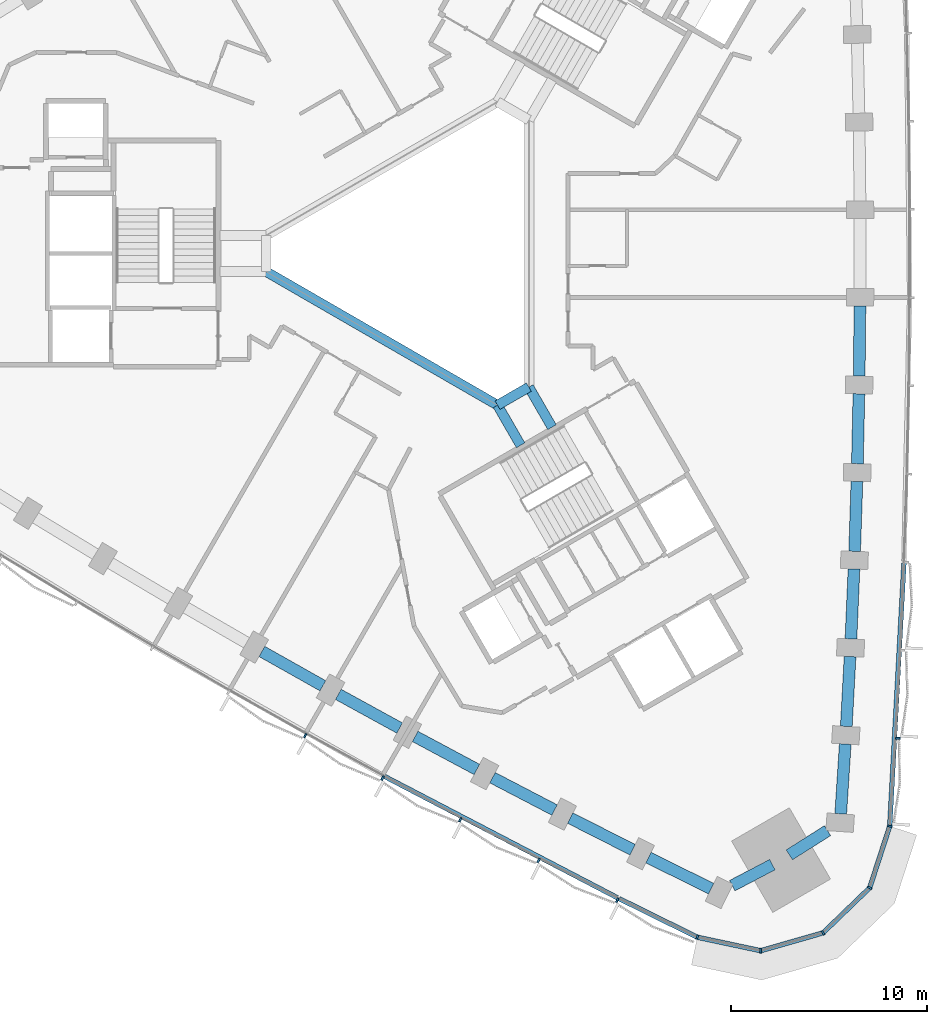
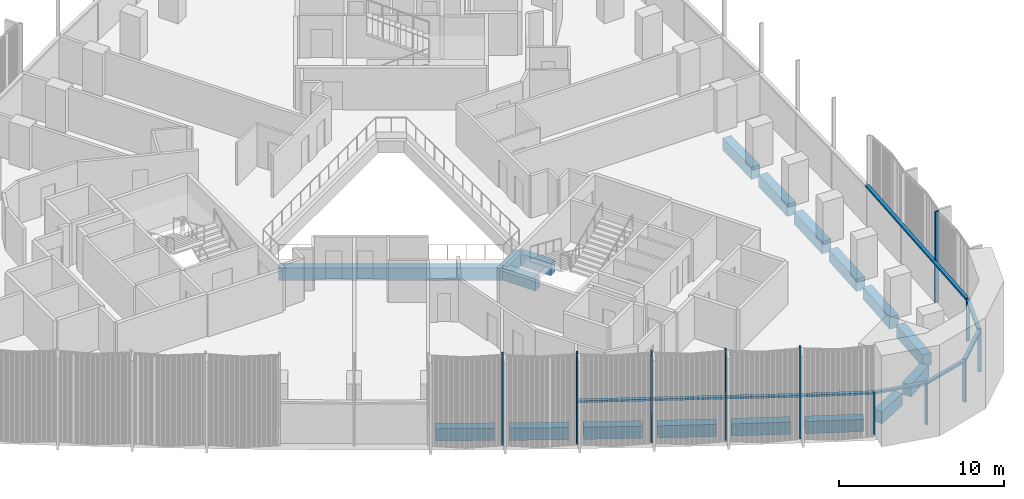
# One storey, part 3 of 16: 18 beams, 18 members, 2 elements without a shape of their own.
"""IFC4 building model written with IfcOpenShell, lengths in metres."""

import ifcopenshell
import ifcopenshell.guid

model = None  # the IFC model being written
_history = None  # IfcOwnerHistory: only IFC2X3 demands one
_inside = {}  # id of a spatial element -> (the spatial element, [elements in it])
_under = {}  # id of a project, library or spatial element -> (it, [spatial elements below it])
_declared = {}  # id of a project -> (the project, [libraries it declares])
_typed = {}  # id of a type object -> (the type object, [elements of that type])
_made_of = {}  # id of a material, layer set ... -> (it, [elements and type objects made of it])


def new_model(schema):
    """Start an empty IFC model of exactly this schema.

    Asked for "IFC4X3", IfcOpenShell would pick the latest addendum, in which some entities
    have other attributes; the version numbers below select the first issue.
    IFC2X3 requires an IfcOwnerHistory on every rooted entity: one is made here for all.
    """
    global model, _history
    if schema == "IFC4X3":
        model = ifcopenshell.file(schema_version=(4, 3, 0, 0))
    else:
        model = ifcopenshell.file(schema=schema)
    _inside.clear()
    _under.clear()
    _declared.clear()
    _typed.clear()
    _made_of.clear()
    _history = None
    if model.schema == "IFC2X3":
        org = make("IfcOrganization", Name="unknown")
        user = make(
            "IfcPersonAndOrganization",
            ThePerson=make("IfcPerson", FamilyName="unknown"),
            TheOrganization=org,
        )
        app = make(
            "IfcApplication",
            ApplicationDeveloper=org,
            Version="unknown",
            ApplicationFullName="unknown",
            ApplicationIdentifier="unknown",
        )
        _history = make(
            "IfcOwnerHistory",
            OwningUser=user,
            OwningApplication=app,
            ChangeAction="ADDED",
            CreationDate=0,
        )
    return model


def make(cls, **values):
    """One entity of the class cls with the attributes given. An attribute that is None is left unset."""
    return model.create_entity(
        cls, **{name: value for name, value in values.items() if value is not None}
    )


def rooted(cls, **values):
    """An entity with a GlobalId (a new one), such as an element, a storey or a relation."""
    return make(cls, GlobalId=ifcopenshell.guid.new(), OwnerHistory=_history, **values)


def si_unit(unit_type, name, prefix=None):
    """IfcSIUnit, for example si_unit("LENGTHUNIT", "METRE", prefix="MILLI")."""
    return make("IfcSIUnit", UnitType=unit_type, Prefix=prefix, Name=name)


def assignment(units):
    """IfcUnitAssignment: the units of a project."""
    return None if units is None else make("IfcUnitAssignment", Units=units)


def point(xyz):
    """IfcCartesianPoint."""
    return None if xyz is None else make("IfcCartesianPoint", Coordinates=xyz)


def direction(xyz):
    """IfcDirection."""
    return None if xyz is None else make("IfcDirection", DirectionRatios=xyz)


def frame(location, z_axis=None, x_axis=None):
    """IfcAxis2Placement3D, a coordinate frame: its origin and axes. An axis left out is left unset."""
    return make(
        "IfcAxis2Placement3D",
        Location=point(location),
        Axis=direction(z_axis),
        RefDirection=direction(x_axis),
    )


def frame_2d(location, x_axis=None):
    """IfcAxis2Placement2D, a coordinate frame in the plane: its origin and x axis."""
    return make(
        "IfcAxis2Placement2D", Location=point(location), RefDirection=direction(x_axis)
    )


def origin():
    """The frame at (0, 0, 0) with its axes left unset."""
    return frame((0.0, 0.0, 0.0))


def origin_2d():
    """The frame at (0, 0) in the plane with its x axis left unset."""
    return frame_2d((0.0, 0.0))


def place(relative_to, where):
    """IfcLocalPlacement: puts the frame where relative to a parent placement (None: the world)."""
    return make(
        "IfcLocalPlacement", PlacementRelTo=relative_to, RelativePlacement=where
    )


def context(
    kind, dimensions, precision=None, world=None, true_north=None, identifier=None
):
    """IfcGeometricRepresentationContext, for example the 3D "Model" context."""
    return make(
        "IfcGeometricRepresentationContext",
        ContextIdentifier=identifier,
        ContextType=kind,
        CoordinateSpaceDimension=dimensions,
        Precision=precision,
        WorldCoordinateSystem=world,
        TrueNorth=true_north,
    )


def subcontext(parent, identifier, kind, view, scale=None):
    """IfcGeometricRepresentationSubContext, for example "Body" below "Model"."""
    return make(
        "IfcGeometricRepresentationSubContext",
        ContextIdentifier=identifier,
        ContextType=kind,
        ParentContext=parent,
        TargetScale=scale,
        TargetView=view,
    )


def project(units=None, contexts=None):
    """IfcProject with its units and contexts."""
    return rooted(
        "IfcProject",
        Name="project",
        RepresentationContexts=contexts,
        UnitsInContext=assignment(units),
    )


def spatial(cls, under=None, at=None, **own):
    """A site, building, storey or space (cls), placed at a placement, below another one or the project."""
    s = rooted(cls, ObjectPlacement=at, **own)
    if under is not None:
        _under.setdefault(under.id(), (under, []))[1].append(s)
    return s


def profile(cls, at=None, kind="AREA", **sizes):
    """A parametric profile (cls). Its sizes go by their IFC names, for example OverallWidth=200.0."""
    return make(cls, ProfileType=kind, Position=at, **sizes)


def rectangle(**sizes):
    """IfcRectangleProfileDef."""
    return profile("IfcRectangleProfileDef", **sizes)


def extrude(swept, where, along, depth):
    """IfcExtrudedAreaSolid: the profile swept, set in the frame where, extruded along a direction by depth."""
    return make(
        "IfcExtrudedAreaSolid",
        SweptArea=swept,
        Position=where,
        ExtrudedDirection=direction(along),
        Depth=depth,
    )


def shape(context_of_items, identifier, shape_type, items):
    """IfcShapeRepresentation: the items that make up one representation, for example the "Body"."""
    return make(
        "IfcShapeRepresentation",
        ContextOfItems=context_of_items,
        RepresentationIdentifier=identifier,
        RepresentationType=shape_type,
        Items=items,
    )


def material(Name=None, Category=None):
    """IfcMaterial."""
    return make("IfcMaterial", Name=Name, Category=Category)


def material_profile(
    of_material, cross_section, Name=None, Category=None, Priority=None
):
    """IfcMaterialProfile: a cross section and its material."""
    return make(
        "IfcMaterialProfile",
        Name=Name,
        Material=of_material,
        Profile=cross_section,
        Priority=Priority,
        Category=Category,
    )


def profile_set(profiles, Name=None, composite=None):
    """IfcMaterialProfileSet."""
    return make(
        "IfcMaterialProfileSet",
        Name=Name,
        MaterialProfiles=profiles,
        CompositeProfile=composite,
    )


def made_of(thing, what):
    """Note that an element or type object is made of a material, layer set ...; save() writes the relation."""
    if what is not None:
        _made_of.setdefault(what.id(), (what, []))[1].append(thing)
    return thing


def type_object(cls, material=None, **own):
    """A type object (cls), such as IfcWallType, which elements share."""
    return made_of(rooted(cls, **own), material)


def element(
    cls,
    number,
    at=None,
    inside=None,
    cuts=None,
    type_object=None,
    material=None,
    context=None,
    identifier="Body",
    shape_type=None,
    held_by="IfcProductDefinitionShape",
    body=None,
    shapes=None,
    **own,
):
    """One element of the class cls, such as IfcWall. Its Tag is "e" and its number.

    at: its placement. inside: the storey or other place that contains it. cuts: it is an
    opening in that element (IfcRelVoidsElement). A single representation is given by context,
    identifier, shape_type and body (its items); several are given by shapes. held_by: the class
    of the entity that holds the representations. save() writes the other relations.
    """
    e = rooted(cls, Tag="e%d" % number, ObjectPlacement=at, **own)
    if body is not None:
        shapes = [shape(context, identifier, shape_type, body)]
    if shapes is not None:
        e.Representation = make(held_by, Representations=shapes)
    if inside is not None:
        _inside.setdefault(inside.id(), (inside, []))[1].append(e)
    if cuts is not None:
        rooted(
            "IfcRelVoidsElement", RelatingBuildingElement=cuts, RelatedOpeningElement=e
        )
    if type_object is not None:
        _typed.setdefault(type_object.id(), (type_object, []))[1].append(e)
    return made_of(e, material)


def aggregate(whole, parts):
    """IfcRelAggregates: a whole, such as a stair, and the parts it consists of."""
    return rooted("IfcRelAggregates", RelatingObject=whole, RelatedObjects=parts)


def save(model, path):
    """Write the relations noted so far, then the file.

    IfcRelAggregates (storeys below a building ...), IfcRelContainedInSpatialStructure (elements
    in a storey), IfcRelDefinesByType, IfcRelAssociatesMaterial and IfcRelDeclares: one each for
    every whole, place, type object, material and project.
    """
    for whole, parts in _under.values():
        aggregate(whole, parts)
    for where, things in _inside.values():
        rooted(
            "IfcRelContainedInSpatialStructure",
            RelatedElements=things,
            RelatingStructure=where,
        )
    for kind, things in _typed.values():
        rooted("IfcRelDefinesByType", RelatedObjects=things, RelatingType=kind)
    for what, things in _made_of.values():
        rooted("IfcRelAssociatesMaterial", RelatedObjects=things, RelatingMaterial=what)
    for by, libraries in _declared.values():
        rooted("IfcRelDeclares", RelatingContext=by, RelatedDefinitions=libraries)
    model.write(path)


model = new_model("IFC4")

# Units and contexts
model_context = context("Model", 3, precision=1e-05, world=origin(), true_north=direction((0.0, 1.0)))
body_context = subcontext(model_context, "Body", "Model", "MODEL_VIEW")
ifc_project = project(units=[si_unit("LENGTHUNIT", "METRE"), si_unit("AREAUNIT", "SQUARE_METRE"), si_unit("VOLUMEUNIT", "CUBIC_METRE"), si_unit("PLANEANGLEUNIT", "RADIAN"), si_unit("MASSUNIT", "GRAM", prefix="KILO")], contexts=[model_context])

# Site, building, storey
site_placement = place(None, origin())
site = spatial("IfcSite", under=ifc_project, at=site_placement, CompositionType="ELEMENT")
building_placement = place(site_placement, origin())
building = spatial("IfcBuilding", under=site, at=building_placement, Name="Tamra Quay Hotel Tower", CompositionType="ELEMENT")
storey_placement = place(building_placement, frame((0.0, 0.0, 45.800048828125)))
storey = spatial("IfcBuildingStorey", under=building, at=storey_placement, Name="L09", CompositionType="ELEMENT", Elevation=45.800048828125)

# Beams
ifc_material_1 = material(Name="Concrete M60", Category="concrete")
ifc_material_profile_1 = material_profile(ifc_material_1, rectangle(XDim=0.5, YDim=0.89990234375, at=origin_2d()), Name="ATRIUM EDGE BEAM RC 500x900")
ifc_profile_set_1 = profile_set([ifc_material_profile_1], Name="Concrete M60")
beam_type_1 = type_object("IfcBeamType", Name="ATRIUM EDGE BEAM RC 500x900", PredefinedType="BEAM", material=ifc_profile_set_1)
beam_1_placement = place(storey_placement, frame((5.0, -6.812744140625, -0.925048828125), z_axis=(-0.86602275259, -0.500004591975, 0.0), x_axis=(0.500004591975, -0.86602275259, 0.0)))
element("IfcBeam", 1, at=beam_1_placement, inside=storey, type_object=beam_type_1, Name="BM-AB1-L09", PredefinedType="BEAM", context=body_context, shape_type="SweptSolid", body=[
    extrude(rectangle(XDim=0.5, YDim=0.89990234375, at=origin_2d()), origin(), (0.0, 0.0, 1.0), 1.84765625),
])
beam_2_placement = place(storey_placement, frame((3.39990234375, -7.736572265625, -0.925048828125), z_axis=(-0.866021471679, 0.500006810544, 0.0), x_axis=(-0.500006810544, -0.866021471679, 0.0)))
element("IfcBeam", 2, at=beam_2_placement, inside=storey, type_object=beam_type_1, Name="BM-AB2-L09", PredefinedType="BEAM", context=body_context, shape_type="SweptSolid", body=[
    extrude(rectangle(XDim=0.5, YDim=0.89990234375, at=origin_2d()), origin(), (0.0, 0.0, 1.0), 13.625244140625),
])
ifc_material_profile_2 = material_profile(ifc_material_1, rectangle(XDim=0.5, YDim=0.89990234375, at=origin_2d()), Name="ATRIUM TIE BEAM RC 500x900")
ifc_profile_set_2 = profile_set([ifc_material_profile_2], Name="Concrete M60")
beam_type_2 = type_object("IfcBeamType", Name="ATRIUM TIE BEAM RC 500x900", PredefinedType="BEAM", material=ifc_profile_set_2)
for number, where, z_axis, x_axis, name in (
    (3, (5.0, -6.812744140625, -0.925048828125), (0.500029618126, -0.866008303076, 0.0), (0.866008303076, 0.500029618126, 0.0), "BM-TIE-1-L09"),
    (4, (3.39990234375, -7.736572265625, -0.925048828125), (0.500029618126, -0.866008303076, 0.0), (0.866008303076, 0.500029618126, 0.0), "BM-TIE-2-L09"),
):
    element("IfcBeam", number, at=place(storey_placement, frame(where, z_axis=z_axis, x_axis=x_axis)), inside=storey, type_object=beam_type_2, Name=name, PredefinedType="BEAM", context=body_context, shape_type="SweptSolid", body=[
        extrude(rectangle(XDim=0.5, YDim=0.89990234375, at=origin_2d()), origin(), (0.0, 0.0, 1.0), 2.362060546875),
    ])

# Curtain wall, members
ifc_material_2 = material(Name="Aluminium 6063 anodised dark grey", Category="aluminium")
curtain_wall_type_1 = type_object("IfcCurtainWallType", Name="CW1 CURTAIN WALL", PredefinedType="NOTDEFINED", material=ifc_material_2)
curtain_wall_1_placement = place(storey_placement, origin())
curtain_wall_1 = element("IfcCurtainWall", 5, at=curtain_wall_1_placement, inside=storey, type_object=curtain_wall_type_1, Name="CW1 east face L09", PredefinedType="NOTDEFINED")
ifc_material_profile_3 = material_profile(ifc_material_2, rectangle(XDim=0.239990234375, YDim=0.10009765625, at=origin_2d()), Name="MULLION 100X240")
ifc_profile_set_3 = profile_set([ifc_material_profile_3], Name="Aluminium 6063 anodised dark grey")
member_type_1 = type_object("IfcMemberType", Name="MULLION CW1 Z1", PredefinedType="MULLION", material=ifc_profile_set_3)
member_1_placement = place(storey_placement, frame((23.40869140625, -29.2109375, 0.0), z_axis=(0.0, 0.0, 1.0), x_axis=(0.982094529733, -0.188388785943, 0.0)))
member_1 = element("IfcMember", 6, at=member_1_placement, type_object=member_type_1, Name="CW1 mullion L09.E.1", PredefinedType="MULLION", context=body_context, shape_type="SweptSolid", body=[
    extrude(rectangle(XDim=0.239990234375, YDim=0.10009765625, at=origin_2d()), origin(), (0.0, 0.0, 1.0), 3.125),
])
member_2_placement = place(storey_placement, frame((23.81982421875, -24.73095703125, 0.0), z_axis=(0.0, 0.0, 1.0), x_axis=(0.998231971154, -0.05943847042, 0.0)))
member_2 = element("IfcMember", 7, at=member_2_placement, type_object=member_type_1, Name="CW1 mullion L09.E.2", PredefinedType="MULLION", context=body_context, shape_type="SweptSolid", body=[
    extrude(rectangle(XDim=0.239990234375, YDim=0.10009765625, at=origin_2d()), origin(), (0.0, 0.0, 1.0), 6.724853515625),
])

curtain_wall_type_2 = type_object("IfcCurtainWallType", Name="CW3 CURTAIN WALL", PredefinedType="NOTDEFINED", material=ifc_material_2)
curtain_wall_2_placement = place(storey_placement, origin())
curtain_wall_2 = element("IfcCurtainWall", 8, at=curtain_wall_2_placement, inside=storey, type_object=curtain_wall_type_2, Name="CW3 south-west face L09", PredefinedType="NOTDEFINED")
ifc_material_profile_4 = material_profile(ifc_material_2, rectangle(XDim=0.239990234375, YDim=0.10009765625, at=origin_2d()), Name="MULLION 100X240")
ifc_profile_set_4 = profile_set([ifc_material_profile_4], Name="Aluminium 6063 anodised dark grey")
member_type_2 = type_object("IfcMemberType", Name="MULLION CW3 Z1", PredefinedType="MULLION", material=ifc_profile_set_4)
member_3_placement = place(storey_placement, frame((-6.406982421875, -24.592529296875, 0.0), z_axis=(0.0, 0.0, 1.0), x_axis=(-0.485863802361, -0.874034533388, 0.0)))
member_3 = element("IfcMember", 9, at=member_3_placement, type_object=member_type_2, Name="CW3 mullion L09.SW.9", PredefinedType="MULLION", context=body_context, shape_type="SweptSolid", body=[
    extrude(rectangle(XDim=0.239990234375, YDim=0.10009765625, at=origin_2d()), origin(), (0.0, 0.0, 1.0), 6.724853515625),
])
member_4_placement = place(storey_placement, frame((-2.4619140625, -26.7578125, 0.0), z_axis=(0.0, 0.0, 1.0), x_axis=(-0.476376526936, -0.87924138016, 0.0)))
member_4 = element("IfcMember", 10, at=member_4_placement, type_object=member_type_2, Name="CW3 mullion L09.SW.10", PredefinedType="MULLION", context=body_context, shape_type="SweptSolid", body=[
    extrude(rectangle(XDim=0.239990234375, YDim=0.10009765625, at=origin_2d()), origin(), (0.0, 0.0, 1.0), 6.724853515625),
])
member_5_placement = place(storey_placement, frame((1.5048828125, -28.87939453125, 0.0), z_axis=(0.0, 0.0, 1.0), x_axis=(-0.466835499362, -0.884344173122, 0.0)))
member_5 = element("IfcMember", 11, at=member_5_placement, type_object=member_type_2, Name="CW3 mullion L09.SW.11", PredefinedType="MULLION", context=body_context, shape_type="SweptSolid", body=[
    extrude(rectangle(XDim=0.239990234375, YDim=0.10009765625, at=origin_2d()), origin(), (0.0, 0.0, 1.0), 6.724853515625),
])
member_6_placement = place(storey_placement, frame((5.49462890625, -30.9580078125, 0.0), z_axis=(0.0, 0.0, 1.0), x_axis=(-0.457253994303, -0.889336148312, 0.0)))
member_6 = element("IfcMember", 12, at=member_6_placement, type_object=member_type_2, Name="CW3 mullion L09.SW.12", PredefinedType="MULLION", context=body_context, shape_type="SweptSolid", body=[
    extrude(rectangle(XDim=0.239990234375, YDim=0.10009765625, at=origin_2d()), origin(), (0.0, 0.0, 1.0), 6.724853515625),
])
member_7_placement = place(storey_placement, frame((9.5078125, -32.994140625, 0.0), z_axis=(0.0, 0.0, 1.0), x_axis=(-0.447640760231, -0.894213481099, 0.0)))
member_7 = element("IfcMember", 13, at=member_7_placement, type_object=member_type_2, Name="CW3 mullion L09.SW.13", PredefinedType="MULLION", context=body_context, shape_type="SweptSolid", body=[
    extrude(rectangle(XDim=0.239990234375, YDim=0.10009765625, at=origin_2d()), origin(), (0.0, 0.0, 1.0), 6.724853515625),
])
member_8_placement = place(storey_placement, frame((13.593017578125, -34.8779296875, 0.0), z_axis=(0.0, 0.0, 1.0), x_axis=(-0.327897790452, -0.944713204638, 0.0)))
member_8 = element("IfcMember", 14, at=member_8_placement, type_object=member_type_2, Name="CW3 mullion L09.SW.14", PredefinedType="MULLION", context=body_context, shape_type="SweptSolid", body=[
    extrude(rectangle(XDim=0.239990234375, YDim=0.10009765625, at=origin_2d()), origin(), (0.0, 0.0, 1.0), 3.125),
])
member_9_placement = place(storey_placement, frame((16.828125, -35.5654296875, 0.0), z_axis=(0.0, 0.0, 1.0), x_axis=(0.034915999879, -0.999390250579, 0.0)))
member_9 = element("IfcMember", 15, at=member_9_placement, type_object=member_type_2, Name="CW3 mullion L09.SW.15", PredefinedType="MULLION", context=body_context, shape_type="SweptSolid", body=[
    extrude(rectangle(XDim=0.239990234375, YDim=0.10009765625, at=origin_2d()), origin(), (0.0, 0.0, 1.0), 3.125),
])
member_10_placement = place(storey_placement, frame((20.00732421875, -34.65380859375, 0.0), z_axis=(0.0, 0.0, 1.0), x_axis=(0.5, -0.866025403784, 0.0)))
member_10 = element("IfcMember", 16, at=member_10_placement, type_object=member_type_2, Name="CW3 mullion L09.SW.16", PredefinedType="MULLION", context=body_context, shape_type="SweptSolid", body=[
    extrude(rectangle(XDim=0.239990234375, YDim=0.10009765625, at=origin_2d()), origin(), (0.0, 0.0, 1.0), 3.125),
])
member_11_placement = place(storey_placement, frame((22.386474609375, -32.356201171875, 0.0), z_axis=(0.0, 0.0, 1.0), x_axis=(0.848039345356, -0.529933268183, 0.0)))
member_11 = element("IfcMember", 17, at=member_11_placement, type_object=member_type_2, Name="CW3 mullion L09.SW.17", PredefinedType="MULLION", context=body_context, shape_type="SweptSolid", body=[
    extrude(rectangle(XDim=0.239990234375, YDim=0.10009765625, at=origin_2d()), origin(), (0.0, 0.0, 1.0), 3.125),
])

# Beams
ifc_material_profile_5 = material_profile(ifc_material_1, rectangle(XDim=0.60009765625, YDim=0.89990234375, at=origin_2d()), Name="SPANDREL BEAM RC 600x900")
ifc_profile_set_5 = profile_set([ifc_material_profile_5], Name="Concrete M60")
beam_type_3 = type_object("IfcBeamType", Name="SPANDREL BEAM RC 600x900", PredefinedType="SPANDREL", material=ifc_profile_set_5)
beam_3_placement = place(storey_placement, frame((20.908203125, -28.584716796875, -0.925048828125), z_axis=(0.064749077985, 0.99790157676, 0.0), x_axis=(-0.99790157676, 0.064749077985, 0.0)))
element("IfcBeam", 18, at=beam_3_placement, inside=storey, type_object=beam_type_3, Name="BM-SP1-000-L09", PredefinedType="SPANDREL", context=body_context, shape_type="SweptSolid", body=[
    extrude(rectangle(XDim=0.60009765625, YDim=0.89990234375, at=origin_2d()), origin(), (0.0, 0.0, 1.0), 3.57080078125),
])
beam_4_placement = place(storey_placement, frame((21.193115234375, -24.123046875, -0.925048828125), z_axis=(0.054026860576, 0.998539482613, 0.0), x_axis=(-0.998539482613, 0.054026860576, 0.0)))
element("IfcBeam", 19, at=beam_4_placement, inside=storey, type_object=beam_type_3, Name="BM-SP1-001-L09", PredefinedType="SPANDREL", context=body_context, shape_type="SweptSolid", body=[
    extrude(rectangle(XDim=0.60009765625, YDim=0.89990234375, at=origin_2d()), origin(), (0.0, 0.0, 1.0), 3.56982421875),
])
for number, where, z_axis, x_axis, name in (
    (20, (21.429931640625, -19.659423828125, -0.925048828125), (0.043282922957, 0.99906285517, 0.0), (-0.99906285517, 0.043282922957, 0.0), "BM-SP1-002-L09"),
    (21, (21.618408203125, -15.19287109375, -0.925048828125), (0.032547568535, 0.999470187541, 0.0), (-0.999470187541, 0.032547568535, 0.0), "BM-SP1-003-L09"),
):
    element("IfcBeam", number, at=place(storey_placement, frame(where, z_axis=z_axis, x_axis=x_axis)), inside=storey, type_object=beam_type_3, Name=name, PredefinedType="SPANDREL", context=body_context, shape_type="SweptSolid", body=[
        extrude(rectangle(XDim=0.60009765625, YDim=0.89990234375, at=origin_2d()), origin(), (0.0, 0.0, 1.0), 3.570556640625),
    ])
beam_5_placement = place(storey_placement, frame((21.7587890625, -10.724609375, -0.925048828125), z_axis=(0.021679013576, 0.999764982569, 0.0), x_axis=(-0.999764982569, 0.021679013576, 0.0)))
element("IfcBeam", 22, at=beam_5_placement, inside=storey, type_object=beam_type_3, Name="BM-SP1-004-L09", PredefinedType="SPANDREL", context=body_context, shape_type="SweptSolid", body=[
    extrude(rectangle(XDim=0.60009765625, YDim=0.89990234375, at=origin_2d()), origin(), (0.0, 0.0, 1.0), 3.56982421875),
])
for number, where, z_axis, x_axis, name in (
    (23, (21.850830078125, -6.255615234375, -0.925048828125), (0.010803527021, 0.999941640199, 0.0), (-0.999941640199, 0.010803527021, 0.0), "BM-SP1-005-L09"),
    (24, (-8.619384765625, -20.299560546875, -0.925048828125), (0.871431243693, -0.49051767299, 0.0), (0.49051767299, 0.871431243693, 0.0), "BM-SP1-037-L09"),
):
    element("IfcBeam", number, at=place(storey_placement, frame(where, z_axis=z_axis, x_axis=x_axis)), inside=storey, type_object=beam_type_3, Name=name, PredefinedType="SPANDREL", context=body_context, shape_type="SweptSolid", body=[
        extrude(rectangle(XDim=0.60009765625, YDim=0.89990234375, at=origin_2d()), origin(), (0.0, 0.0, 1.0), 3.570556640625),
    ])
beam_6_placement = place(storey_placement, frame((-4.72119140625, -22.48828125, -0.925048828125), z_axis=(0.876617015828, -0.481188744216, 0.0), x_axis=(0.481188744216, 0.876617015828, 0.0)))
element("IfcBeam", 25, at=beam_6_placement, inside=storey, type_object=beam_type_3, Name="BM-SP1-038-L09", PredefinedType="SPANDREL", context=body_context, shape_type="SweptSolid", body=[
    extrude(rectangle(XDim=0.60009765625, YDim=0.89990234375, at=origin_2d()), origin(), (0.0, 0.0, 1.0), 3.56982421875),
])
beam_7_placement = place(storey_placement, frame((-0.80029296875, -24.634765625, -0.925048828125), z_axis=(0.881809110934, -0.471606501094, 0.0), x_axis=(0.471606501094, 0.881809110934, 0.0)))
element("IfcBeam", 26, at=beam_7_placement, inside=storey, type_object=beam_type_3, Name="BM-SP1-039-L09", PredefinedType="SPANDREL", context=body_context, shape_type="SweptSolid", body=[
    extrude(rectangle(XDim=0.60009765625, YDim=0.89990234375, at=origin_2d()), origin(), (0.0, 0.0, 1.0), 3.5703125),
])
beam_8_placement = place(storey_placement, frame((3.14404296875, -26.73876953125, -0.925048828125), z_axis=(0.886863886749, -0.462030785101, 0.0), x_axis=(0.462030785101, 0.886863886749, 0.0)))
element("IfcBeam", 27, at=beam_8_placement, inside=storey, type_object=beam_type_3, Name="BM-SP1-040-L09", PredefinedType="SPANDREL", context=body_context, shape_type="SweptSolid", body=[
    extrude(rectangle(XDim=0.60009765625, YDim=0.89990234375, at=origin_2d()), origin(), (0.0, 0.0, 1.0), 3.570556640625),
])
beam_9_placement = place(storey_placement, frame((7.111083984375, -28.800048828125, -0.925048828125), z_axis=(0.891785652583, -0.452458119439, 0.0), x_axis=(0.452458119439, 0.891785652583, 0.0)))
element("IfcBeam", 28, at=beam_9_placement, inside=storey, type_object=beam_type_3, Name="BM-SP1-041-L09", PredefinedType="SPANDREL", context=body_context, shape_type="SweptSolid", body=[
    extrude(rectangle(XDim=0.60009765625, YDim=0.89990234375, at=origin_2d()), origin(), (0.0, 0.0, 1.0), 3.56982421875),
])
beam_10_placement = place(storey_placement, frame((11.099365234375, -30.818115234375, -0.925048828125), z_axis=(0.896604328032, -0.442832563113, 0.0), x_axis=(0.442832563113, 0.896604328032, 0.0)))
element("IfcBeam", 29, at=beam_10_placement, inside=storey, type_object=beam_type_3, Name="BM-SP1-042-L09", PredefinedType="SPANDREL", context=body_context, shape_type="SweptSolid", body=[
    extrude(rectangle(XDim=0.60009765625, YDim=0.89990234375, at=origin_2d()), origin(), (0.0, 0.0, 1.0), 3.57080078125),
])
beam_11_placement = place(storey_placement, frame((15.377197265625, -32.24609375, -0.925048828125), z_axis=(0.885674154565, 0.464307324879, 0.0), x_axis=(-0.464307324879, 0.885674154565, 0.0)))
element("IfcBeam", 30, at=beam_11_placement, inside=storey, type_object=beam_type_3, Name="BM-SP1-043-L09", PredefinedType="SPANDREL", context=body_context, shape_type="SweptSolid", body=[
    extrude(rectangle(XDim=0.60009765625, YDim=0.89990234375, at=origin_2d()), origin(), (0.0, 0.0, 1.0), 2.308349609375),
])
beam_12_placement = place(storey_placement, frame((18.28662109375, -30.6748046875, -0.925048828125), z_axis=(0.844978382684, 0.53480046073, 0.0), x_axis=(-0.53480046073, 0.844978382684, 0.0)))
element("IfcBeam", 31, at=beam_12_placement, inside=storey, type_object=beam_type_3, Name="BM-SP1-044-L09", PredefinedType="SPANDREL", context=body_context, shape_type="SweptSolid", body=[
    extrude(rectangle(XDim=0.60009765625, YDim=0.89990234375, at=origin_2d()), origin(), (0.0, 0.0, 1.0), 2.30859375),
])

# Member
ifc_material_profile_6 = material_profile(ifc_material_2, rectangle(XDim=0.239990234375, YDim=0.139892578125, at=origin_2d()), Name="TRANSOM 240X140")
ifc_profile_set_6 = profile_set([ifc_material_profile_6], Name="Aluminium 6063 anodised dark grey")
member_type_3 = type_object("IfcMemberType", Name="TRANSOM CW1 Z1", PredefinedType="USERDEFINED", material=ifc_profile_set_6)
member_12_placement = place(storey_placement, frame((23.411865234375, -29.160888671875, 3.054931640625), z_axis=(0.054052387444, 0.998538101132, 0.0), x_axis=(-0.998538101132, 0.054052387444, 0.0)))
member_12 = element("IfcMember", 32, at=member_12_placement, type_object=member_type_3, Name="CW1 transom L09.E.1", ObjectType="TRANSOM", PredefinedType="USERDEFINED", context=body_context, shape_type="SweptSolid", body=[
    extrude(rectangle(XDim=0.239990234375, YDim=0.139892578125, at=origin_2d()), origin(), (0.0, 0.0, 1.0), 13.39208984375),
])

aggregate(curtain_wall_1, [member_1, member_12, member_2])

ifc_material_profile_7 = material_profile(ifc_material_2, rectangle(XDim=0.239990234375, YDim=0.139892578125, at=origin_2d()), Name="TRANSOM 240X140")
ifc_profile_set_7 = profile_set([ifc_material_profile_7], Name="Aluminium 6063 anodised dark grey")
member_type_4 = type_object("IfcMemberType", Name="TRANSOM CW3 Z1", PredefinedType="USERDEFINED", material=ifc_profile_set_7)
member_13_placement = place(storey_placement, frame((-2.360595703125, -26.67578125, 3.054931640625), z_axis=(0.886850905356, -0.462055701913, 0.0), x_axis=(0.462055701913, 0.886850905356, 0.0)))
member_13 = element("IfcMember", 33, at=member_13_placement, type_object=member_type_4, Name="CW3 transom L09.SW.10", ObjectType="TRANSOM", PredefinedType="USERDEFINED", context=body_context, shape_type="SweptSolid", body=[
    extrude(rectangle(XDim=0.239990234375, YDim=0.139892578125, at=origin_2d()), origin(), (0.0, 0.0, 1.0), 13.392822265625),
])

member_14_placement = place(storey_placement, frame((9.606201171875, -32.908935546875, 3.054931640625), z_axis=(0.89661543445, -0.442810075208, 0.0), x_axis=(0.442810075208, 0.89661543445, 0.0)))
member_14 = element("IfcMember", 34, at=member_14_placement, type_object=member_type_4, Name="CW3 transom L09.SW.13", ObjectType="TRANSOM", PredefinedType="USERDEFINED", context=body_context, shape_type="SweptSolid", body=[
    extrude(rectangle(XDim=0.239990234375, YDim=0.139892578125, at=origin_2d()), origin(), (0.0, 0.0, 1.0), 4.396484375),
])

member_15_placement = place(storey_placement, frame((13.641845703125, -34.88818359375, 3.054931640625), z_axis=(0.978156336052, -0.20787059013, 0.0), x_axis=(0.20787059013, 0.978156336052, 0.0)))
member_15 = element("IfcMember", 35, at=member_15_placement, type_object=member_type_4, Name="CW3 transom L09.SW.14", ObjectType="TRANSOM", PredefinedType="USERDEFINED", context=body_context, shape_type="SweptSolid", body=[
    extrude(rectangle(XDim=0.239990234375, YDim=0.139892578125, at=origin_2d()), origin(), (0.0, 0.0, 1.0), 3.20751953125),
])

member_16_placement = place(storey_placement, frame((16.876220703125, -35.551513671875, 3.054931640625), z_axis=(0.961262114071, 0.275635897612, 0.0), x_axis=(-0.275635897612, 0.961262114071, 0.0)))
member_16 = element("IfcMember", 36, at=member_16_placement, type_object=member_type_4, Name="CW3 transom L09.SW.15", ObjectType="TRANSOM", PredefinedType="USERDEFINED", context=body_context, shape_type="SweptSolid", body=[
    extrude(rectangle(XDim=0.239990234375, YDim=0.139892578125, at=origin_2d()), origin(), (0.0, 0.0, 1.0), 3.207275390625),
])

member_17_placement = place(storey_placement, frame((20.043212890625, -34.618896484375, 3.054931640625), z_axis=(0.719405395398, 0.694590438367, 0.0), x_axis=(-0.694590438367, 0.719405395398, 0.0)))
member_17 = element("IfcMember", 37, at=member_17_placement, type_object=member_type_4, Name="CW3 transom L09.SW.16", ObjectType="TRANSOM", PredefinedType="USERDEFINED", context=body_context, shape_type="SweptSolid", body=[
    extrude(rectangle(XDim=0.239990234375, YDim=0.139892578125, at=origin_2d()), origin(), (0.0, 0.0, 1.0), 3.207275390625),
])

member_18_placement = place(storey_placement, frame((22.40185546875, -32.308837890625, 3.054931640625), z_axis=(0.309025833938, 0.951053644102, 0.0), x_axis=(-0.951053644102, 0.309025833938, 0.0)))
member_18 = element("IfcMember", 38, at=member_18_placement, type_object=member_type_4, Name="CW3 transom L09.SW.17", ObjectType="TRANSOM", PredefinedType="USERDEFINED", context=body_context, shape_type="SweptSolid", body=[
    extrude(rectangle(XDim=0.239990234375, YDim=0.139892578125, at=origin_2d()), origin(), (0.0, 0.0, 1.0), 3.20751953125),
])

aggregate(curtain_wall_2, [member_3, member_4, member_13, member_5, member_6, member_7, member_14, member_8, member_15, member_9, member_16, member_10, member_17, member_11, member_18])

save(model, "model.ifc")
